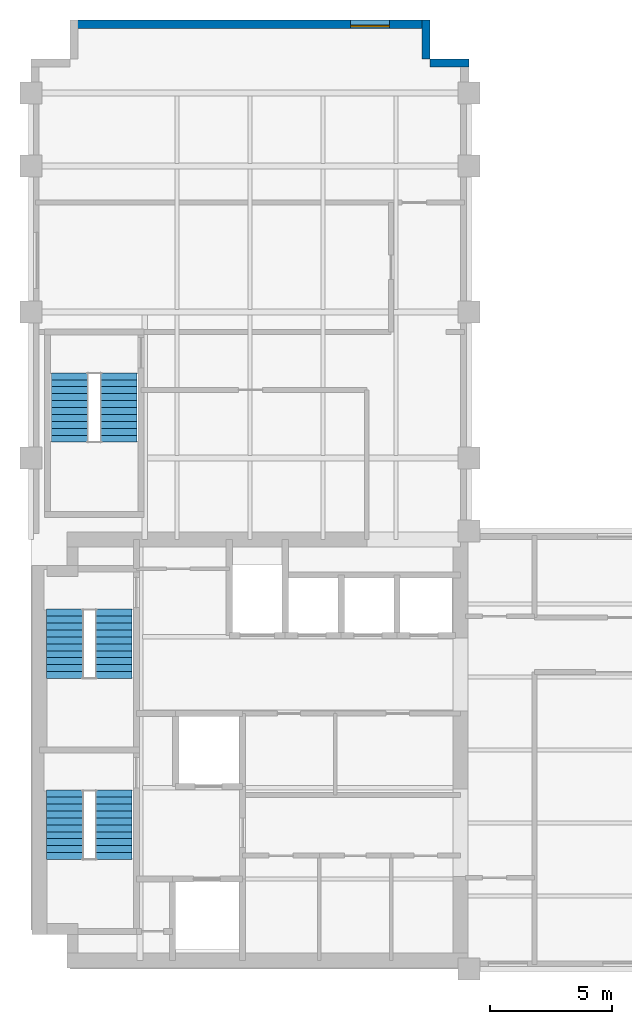
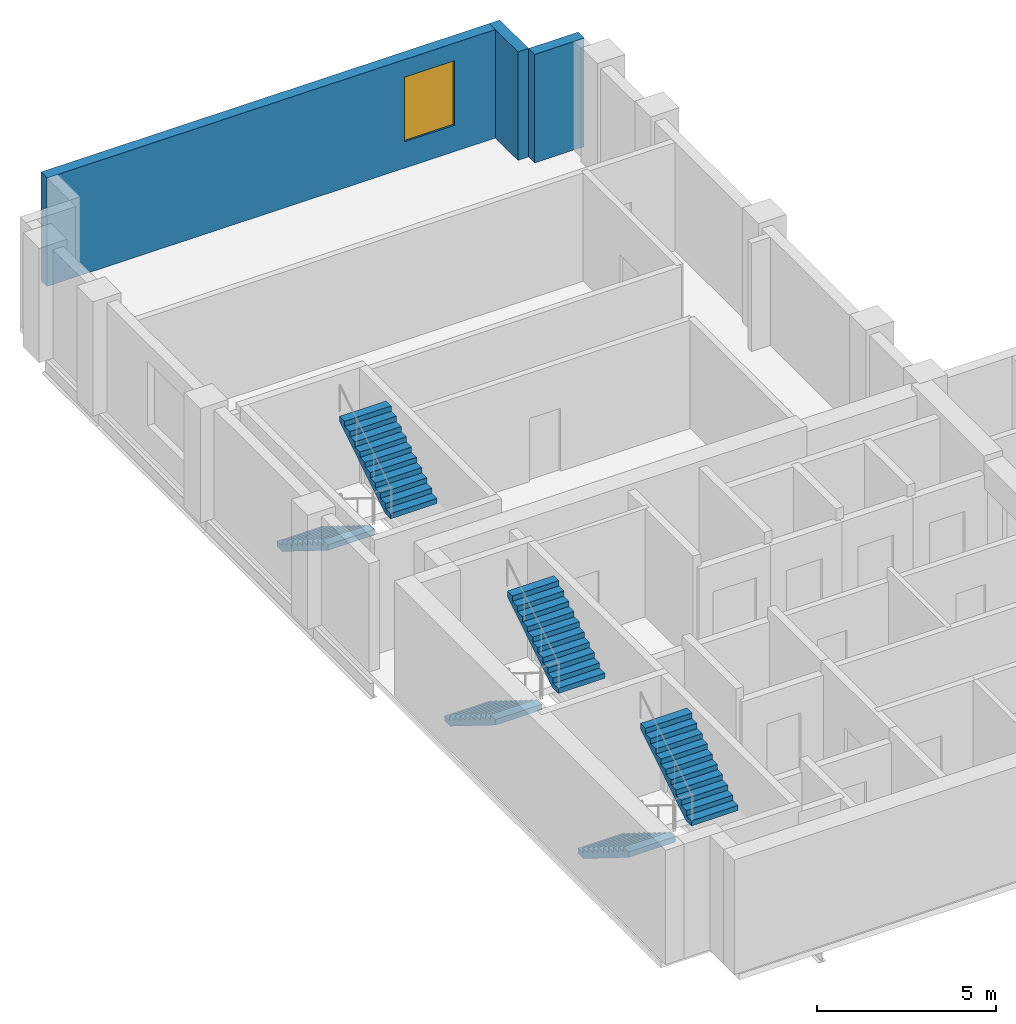
# One storey, part 5 of 6: 6 stair flights, 3 walls, 1 window, 1 opening, 3 elements without a shape of their own.
"""IFC4 building model written with IfcOpenShell, lengths in metres."""

import ifcopenshell
import ifcopenshell.guid

model = None  # the IFC model being written
_history = None  # IfcOwnerHistory: only IFC2X3 demands one
_inside = {}  # id of a spatial element -> (the spatial element, [elements in it])
_under = {}  # id of a project, library or spatial element -> (it, [spatial elements below it])
_declared = {}  # id of a project -> (the project, [libraries it declares])
_typed = {}  # id of a type object -> (the type object, [elements of that type])
_made_of = {}  # id of a material, layer set ... -> (it, [elements and type objects made of it])


def new_model(schema):
    """Start an empty IFC model of exactly this schema.

    Asked for "IFC4X3", IfcOpenShell would pick the latest addendum, in which some entities
    have other attributes; the version numbers below select the first issue.
    IFC2X3 requires an IfcOwnerHistory on every rooted entity: one is made here for all.
    """
    global model, _history
    if schema == "IFC4X3":
        model = ifcopenshell.file(schema_version=(4, 3, 0, 0))
    else:
        model = ifcopenshell.file(schema=schema)
    _inside.clear()
    _under.clear()
    _declared.clear()
    _typed.clear()
    _made_of.clear()
    _history = None
    if model.schema == "IFC2X3":
        org = make("IfcOrganization", Name="unknown")
        user = make(
            "IfcPersonAndOrganization",
            ThePerson=make("IfcPerson", FamilyName="unknown"),
            TheOrganization=org,
        )
        app = make(
            "IfcApplication",
            ApplicationDeveloper=org,
            Version="unknown",
            ApplicationFullName="unknown",
            ApplicationIdentifier="unknown",
        )
        _history = make(
            "IfcOwnerHistory",
            OwningUser=user,
            OwningApplication=app,
            ChangeAction="ADDED",
            CreationDate=0,
        )
    return model


def make(cls, **values):
    """One entity of the class cls with the attributes given. An attribute that is None is left unset."""
    return model.create_entity(
        cls, **{name: value for name, value in values.items() if value is not None}
    )


def rooted(cls, **values):
    """An entity with a GlobalId (a new one), such as an element, a storey or a relation."""
    return make(cls, GlobalId=ifcopenshell.guid.new(), OwnerHistory=_history, **values)


def si_unit(unit_type, name, prefix=None):
    """IfcSIUnit, for example si_unit("LENGTHUNIT", "METRE", prefix="MILLI")."""
    return make("IfcSIUnit", UnitType=unit_type, Prefix=prefix, Name=name)


def assignment(units):
    """IfcUnitAssignment: the units of a project."""
    return None if units is None else make("IfcUnitAssignment", Units=units)


def point(xyz):
    """IfcCartesianPoint."""
    return None if xyz is None else make("IfcCartesianPoint", Coordinates=xyz)


def direction(xyz):
    """IfcDirection."""
    return None if xyz is None else make("IfcDirection", DirectionRatios=xyz)


def frame(location, z_axis=None, x_axis=None):
    """IfcAxis2Placement3D, a coordinate frame: its origin and axes. An axis left out is left unset."""
    return make(
        "IfcAxis2Placement3D",
        Location=point(location),
        Axis=direction(z_axis),
        RefDirection=direction(x_axis),
    )


def frame_2d(location, x_axis=None):
    """IfcAxis2Placement2D, a coordinate frame in the plane: its origin and x axis."""
    return make(
        "IfcAxis2Placement2D", Location=point(location), RefDirection=direction(x_axis)
    )


def origin():
    """The frame at (0, 0, 0) with its axes left unset."""
    return frame((0.0, 0.0, 0.0))


def place(relative_to, where):
    """IfcLocalPlacement: puts the frame where relative to a parent placement (None: the world)."""
    return make(
        "IfcLocalPlacement", PlacementRelTo=relative_to, RelativePlacement=where
    )


def context(
    kind, dimensions, precision=None, world=None, true_north=None, identifier=None
):
    """IfcGeometricRepresentationContext, for example the 3D "Model" context."""
    return make(
        "IfcGeometricRepresentationContext",
        ContextIdentifier=identifier,
        ContextType=kind,
        CoordinateSpaceDimension=dimensions,
        Precision=precision,
        WorldCoordinateSystem=world,
        TrueNorth=true_north,
    )


def subcontext(parent, identifier, kind, view, scale=None):
    """IfcGeometricRepresentationSubContext, for example "Body" below "Model"."""
    return make(
        "IfcGeometricRepresentationSubContext",
        ContextIdentifier=identifier,
        ContextType=kind,
        ParentContext=parent,
        TargetScale=scale,
        TargetView=view,
    )


def project(units=None, contexts=None):
    """IfcProject with its units and contexts."""
    return rooted(
        "IfcProject",
        Name="project",
        RepresentationContexts=contexts,
        UnitsInContext=assignment(units),
    )


def spatial(cls, under=None, at=None, **own):
    """A site, building, storey or space (cls), placed at a placement, below another one or the project."""
    s = rooted(cls, ObjectPlacement=at, **own)
    if under is not None:
        _under.setdefault(under.id(), (under, []))[1].append(s)
    return s


def polyline(points):
    """IfcPolyline through the points."""
    return make("IfcPolyline", Points=[point(p) for p in points])


def profile(cls, at=None, kind="AREA", **sizes):
    """A parametric profile (cls). Its sizes go by their IFC names, for example OverallWidth=200.0."""
    return make(cls, ProfileType=kind, Position=at, **sizes)


def rectangle(**sizes):
    """IfcRectangleProfileDef."""
    return profile("IfcRectangleProfileDef", **sizes)


def outline(outer, holes=None, kind="AREA"):
    """IfcArbitraryClosedProfileDef: a profile drawn as a closed curve; with holes, ...WithVoids."""
    if holes is None:
        return make("IfcArbitraryClosedProfileDef", ProfileType=kind, OuterCurve=outer)
    return make(
        "IfcArbitraryProfileDefWithVoids",
        ProfileType=kind,
        OuterCurve=outer,
        InnerCurves=holes,
    )


def extrude(swept, where, along, depth):
    """IfcExtrudedAreaSolid: the profile swept, set in the frame where, extruded along a direction by depth."""
    return make(
        "IfcExtrudedAreaSolid",
        SweptArea=swept,
        Position=where,
        ExtrudedDirection=direction(along),
        Depth=depth,
    )


def shape(context_of_items, identifier, shape_type, items):
    """IfcShapeRepresentation: the items that make up one representation, for example the "Body"."""
    return make(
        "IfcShapeRepresentation",
        ContextOfItems=context_of_items,
        RepresentationIdentifier=identifier,
        RepresentationType=shape_type,
        Items=items,
    )


def material(Name=None, Category=None):
    """IfcMaterial."""
    return make("IfcMaterial", Name=Name, Category=Category)


def layer(
    of_material, thickness, ventilated=None, Name=None, Category=None, Priority=None
):
    """IfcMaterialLayer: one layer of a wall or slab, of a material (None: an air gap)."""
    return make(
        "IfcMaterialLayer",
        Material=of_material,
        LayerThickness=thickness,
        IsVentilated=ventilated,
        Name=Name,
        Category=Category,
        Priority=Priority,
    )


def layer_set(layers, Name=None):
    """IfcMaterialLayerSet."""
    return make("IfcMaterialLayerSet", MaterialLayers=layers, LayerSetName=Name)


def made_of(thing, what):
    """Note that an element or type object is made of a material, layer set ...; save() writes the relation."""
    if what is not None:
        _made_of.setdefault(what.id(), (what, []))[1].append(thing)
    return thing


def type_object(cls, material=None, **own):
    """A type object (cls), such as IfcWallType, which elements share."""
    return made_of(rooted(cls, **own), material)


def element(
    cls,
    number,
    at=None,
    inside=None,
    cuts=None,
    type_object=None,
    material=None,
    context=None,
    identifier="Body",
    shape_type=None,
    held_by="IfcProductDefinitionShape",
    body=None,
    shapes=None,
    **own,
):
    """One element of the class cls, such as IfcWall. Its Tag is "e" and its number.

    at: its placement. inside: the storey or other place that contains it. cuts: it is an
    opening in that element (IfcRelVoidsElement). A single representation is given by context,
    identifier, shape_type and body (its items); several are given by shapes. held_by: the class
    of the entity that holds the representations. save() writes the other relations.
    """
    e = rooted(cls, Tag="e%d" % number, ObjectPlacement=at, **own)
    if body is not None:
        shapes = [shape(context, identifier, shape_type, body)]
    if shapes is not None:
        e.Representation = make(held_by, Representations=shapes)
    if inside is not None:
        _inside.setdefault(inside.id(), (inside, []))[1].append(e)
    if cuts is not None:
        rooted(
            "IfcRelVoidsElement", RelatingBuildingElement=cuts, RelatedOpeningElement=e
        )
    if type_object is not None:
        _typed.setdefault(type_object.id(), (type_object, []))[1].append(e)
    return made_of(e, material)


def fill(opening, filler):
    """IfcRelFillsElement: the door or window that sits in an opening."""
    return rooted(
        "IfcRelFillsElement",
        RelatingOpeningElement=opening,
        RelatedBuildingElement=filler,
    )


def aggregate(whole, parts):
    """IfcRelAggregates: a whole, such as a stair, and the parts it consists of."""
    return rooted("IfcRelAggregates", RelatingObject=whole, RelatedObjects=parts)


def save(model, path):
    """Write the relations noted so far, then the file.

    IfcRelAggregates (storeys below a building ...), IfcRelContainedInSpatialStructure (elements
    in a storey), IfcRelDefinesByType, IfcRelAssociatesMaterial and IfcRelDeclares: one each for
    every whole, place, type object, material and project.
    """
    for whole, parts in _under.values():
        aggregate(whole, parts)
    for where, things in _inside.values():
        rooted(
            "IfcRelContainedInSpatialStructure",
            RelatedElements=things,
            RelatingStructure=where,
        )
    for kind, things in _typed.values():
        rooted("IfcRelDefinesByType", RelatedObjects=things, RelatingType=kind)
    for what, things in _made_of.values():
        rooted("IfcRelAssociatesMaterial", RelatedObjects=things, RelatingMaterial=what)
    for by, libraries in _declared.values():
        rooted("IfcRelDeclares", RelatingContext=by, RelatedDefinitions=libraries)
    model.write(path)


model = new_model("IFC4")

# Units and contexts
model_context = context("Model", 3, precision=1e-05, world=origin(), true_north=direction((0.0, 1.0)))
body_context = subcontext(model_context, "Body", "Model", "MODEL_VIEW")
ifc_project = project(units=[si_unit("LENGTHUNIT", "METRE"), si_unit("AREAUNIT", "SQUARE_METRE"), si_unit("VOLUMEUNIT", "CUBIC_METRE"), si_unit("PLANEANGLEUNIT", "RADIAN"), si_unit("MASSUNIT", "GRAM", prefix="KILO")], contexts=[model_context])

# Site, building, storey
site_placement = place(None, origin())
site = spatial("IfcSite", under=ifc_project, at=site_placement, CompositionType="ELEMENT")
building_placement = place(site_placement, origin())
building = spatial("IfcBuilding", under=site, at=building_placement, Name="Mawjdan Bourse Tower", CompositionType="ELEMENT")
storey_placement = place(building_placement, frame((0.0, 0.0, 211.199951171875)))
storey = spatial("IfcBuildingStorey", under=building, at=storey_placement, Name="L51", CompositionType="ELEMENT", Elevation=211.199951171875)

# Walls
ifc_material_1 = material(Name="Brick Masonry Buff", Category="masonry")
ifc_layer = layer(ifc_material_1, 0.340087890625)
ifc_layer_set = layer_set([ifc_layer], Name="Brick Masonry Buff")
wall_type = type_object("IfcWallType", Name="WL-BRK-SPN-340", PredefinedType="STANDARD", material=ifc_layer_set)
for number, where, z_axis, x_axis, name in (
    (1, (24.0, 40.22998046875, 0.0), (0.0, 0.0, 1.0), (-1.0, 0.0, 0.0), "L51 Exterior Brick Wall 9"),
    (2, (22.22998046875, 40.39990234375, 0.0), (0.0, 0.0, 1.0), (0.0, 1.0, 0.0), "L51 Exterior Brick Wall 10"),
):
    element("IfcWall", number, at=place(storey_placement, frame(where, z_axis=z_axis, x_axis=x_axis)), inside=storey, type_object=wall_type, Name=name, PredefinedType="STANDARD", context=body_context, shape_type="SweptSolid", body=[
        extrude(rectangle(XDim=1.60009765625, YDim=0.340087890625, at=frame_2d((0.800048828125, 0.0))), origin(), (0.0, 0.0, 1.0), 3.699951171875),
    ])

# Wall, opening, window
wall_placement = place(storey_placement, frame((22.39990234375, 41.830078125, 0.0), z_axis=(0.0, 0.0, 1.0), x_axis=(-1.0, 0.0, 0.0)))
wall = element("IfcWall", 3, at=wall_placement, inside=storey, type_object=wall_type, Name="L51 Exterior Brick Wall 11", PredefinedType="STANDARD", context=body_context, shape_type="SweptSolid", body=[
    extrude(rectangle(XDim=14.7998046875, YDim=0.340087890625, at=frame_2d((7.39990234375, 0.0))), origin(), (0.0, 0.0, 1.0), 3.699951171875),
])
opening_placement = place(wall_placement, frame((1.666748046875, 0.0, 0.89990234375)))
opening = element("IfcOpeningElement", 4, at=opening_placement, cuts=wall, Name="Opening W-L51-07", PredefinedType="OPENING", context=body_context, shape_type="SweptSolid", body=[
    extrude(rectangle(XDim=1.60009765625, YDim=2.199951171875, at=frame_2d((0.800048828125, 1.10009765625))), frame((0.0, 0.18017578125, 0.0), z_axis=(0.0, -1.0, 0.0), x_axis=(1.0, 0.0, 0.0)), (0.0, 0.0, 1.0), 0.360107421875),
])
ifc_material_2 = material(Name="Solar-Control Clear Double Glazing", Category="glass")
window_type = type_object("IfcWindowType", Name="WN-Z3-1600", PartitioningType="SINGLE_PANEL", PredefinedType="WINDOW", material=ifc_material_2)
window_placement = place(opening_placement, origin())
window = element("IfcWindow", 5, at=window_placement, inside=storey, type_object=window_type, Name="L51 Deep-Set Masonry Window W-L51-07", OverallHeight=2.199951171875, OverallWidth=1.60009765625, PartitioningType="SINGLE_PANEL", PredefinedType="WINDOW", context=body_context, shape_type="SweptSolid", body=[
    extrude(rectangle(XDim=1.60009765625, YDim=2.199951171875, at=frame_2d((0.800048828125, 1.10009765625))), frame((0.0, 0.110107421875, 0.0), z_axis=(0.0, -1.0, 0.0), x_axis=(1.0, 0.0, 0.0)), (0.0, 0.0, 1.0), 0.06005859375),
])
fill(opening, window)

# Stair, stair flights
ifc_material_3 = material(Name="Concrete C50/60", Category="concrete")
stair_type = type_object("IfcStairType", Name="STR-CORE-1500", PredefinedType="HALF_TURN_STAIR", material=ifc_material_3)
stair_1_placement = place(storey_placement, origin())
stair_1 = element("IfcStair", 6, at=stair_1_placement, inside=storey, type_object=stair_type, Name="L51 Exit Stair 1 (Core South-West)", PredefinedType="HALF_TURN_STAIR")
stair_flight_type = type_object("IfcStairFlightType", Name="SFL-RC-1500", PredefinedType="STRAIGHT", material=ifc_material_3)
stair_flight_1_placement = place(storey_placement, frame((7.389892578125, 10.35009765625, 0.0), z_axis=(0.0, 0.0, 1.0), x_axis=(0.0, -1.0, 0.0)))
stair_flight_1 = element("IfcStairFlight", 7, at=stair_flight_1_placement, type_object=stair_flight_type, Name="ST1-L51 flight 1", NumberOfRisers=11, NumberOfTreads=10, PredefinedType="STRAIGHT", RiserHeight=0.177273, TreadLength=0.285, context=body_context, shape_type="SweptSolid", body=[
    extrude(outline(polyline([(0.0, 0.0), (0.0, 0.17724609375), (0.284912109375, 0.17724609375), (0.284912109375, 0.3544921875), (0.570068359375, 0.3544921875), (0.570068359375, 0.53173828125), (0.85498046875, 0.53173828125), (0.85498046875, 0.708984375), (1.139892578125, 0.708984375), (1.139892578125, 0.886474609375), (1.425048828125, 0.886474609375), (1.425048828125, 1.063720703125), (1.7099609375, 1.063720703125), (1.7099609375, 1.240966796875), (1.9951171875, 1.240966796875), (1.9951171875, 1.418212890625), (2.280029296875, 1.418212890625), (2.280029296875, 1.595458984375), (2.56494140625, 1.595458984375), (2.56494140625, 1.772705078125), (2.85009765625, 1.772705078125), (2.85009765625, 1.949951171875), (2.85009765625, 1.58447265625), (0.302734375, 0.0), (0.0, 0.0)])), frame((0.0, 0.75, 0.0), z_axis=(0.0, -1.0, 0.0), x_axis=(1.0, 0.0, 0.0)), (0.0, 0.0, 1.0), 1.5),
])
stair_flight_2_placement = place(storey_placement, frame((9.409912109375, 7.5, 1.949951171875), z_axis=(0.0, 0.0, 1.0), x_axis=(0.0, 1.0, 0.0)))
stair_flight_2 = element("IfcStairFlight", 8, at=stair_flight_2_placement, type_object=stair_flight_type, Name="ST1-L51 flight 2", NumberOfRisers=11, NumberOfTreads=10, PredefinedType="STRAIGHT", RiserHeight=0.177273, TreadLength=0.285, context=body_context, shape_type="SweptSolid", body=[
    extrude(outline(polyline([(0.0, 0.0), (0.0, 0.17724609375), (0.284912109375, 0.17724609375), (0.284912109375, 0.3544921875), (0.570068359375, 0.3544921875), (0.570068359375, 0.53173828125), (0.85498046875, 0.53173828125), (0.85498046875, 0.708984375), (1.139892578125, 0.708984375), (1.139892578125, 0.886474609375), (1.425048828125, 0.886474609375), (1.425048828125, 1.063720703125), (1.7099609375, 1.063720703125), (1.7099609375, 1.240966796875), (1.9951171875, 1.240966796875), (1.9951171875, 1.418212890625), (2.280029296875, 1.418212890625), (2.280029296875, 1.595458984375), (2.56494140625, 1.595458984375), (2.56494140625, 1.772705078125), (2.85009765625, 1.772705078125), (2.85009765625, 1.949951171875), (2.85009765625, 1.58447265625), (0.302734375, 0.0), (0.0, 0.0)])), frame((0.0, 0.75, 0.0), z_axis=(0.0, -1.0, 0.0), x_axis=(1.0, 0.0, 0.0)), (0.0, 0.0, 1.0), 1.5),
])
aggregate(stair_1, [stair_flight_1, stair_flight_2])

stair_2_placement = place(storey_placement, origin())
stair_2 = element("IfcStair", 9, at=stair_2_placement, inside=storey, type_object=stair_type, Name="L51 Exit Stair 2 (Core North-West)", PredefinedType="HALF_TURN_STAIR")
stair_flight_3_placement = place(storey_placement, frame((7.389892578125, 17.7900390625, 0.0), z_axis=(0.0, 0.0, 1.0), x_axis=(0.0, -1.0, 0.0)))
stair_flight_3 = element("IfcStairFlight", 10, at=stair_flight_3_placement, type_object=stair_flight_type, Name="ST2-L51 flight 1", NumberOfRisers=11, NumberOfTreads=10, PredefinedType="STRAIGHT", RiserHeight=0.177273, TreadLength=0.285, context=body_context, shape_type="SweptSolid", body=[
    extrude(outline(polyline([(0.0, 0.0), (0.0, 0.17724609375), (0.284912109375, 0.17724609375), (0.284912109375, 0.3544921875), (0.570068359375, 0.3544921875), (0.570068359375, 0.53173828125), (0.85498046875, 0.53173828125), (0.85498046875, 0.708984375), (1.139892578125, 0.708984375), (1.139892578125, 0.886474609375), (1.425048828125, 0.886474609375), (1.425048828125, 1.063720703125), (1.7099609375, 1.063720703125), (1.7099609375, 1.240966796875), (1.9951171875, 1.240966796875), (1.9951171875, 1.418212890625), (2.280029296875, 1.418212890625), (2.280029296875, 1.595458984375), (2.56494140625, 1.595458984375), (2.56494140625, 1.772705078125), (2.85009765625, 1.772705078125), (2.85009765625, 1.949951171875), (2.85009765625, 1.58447265625), (0.302734375, 0.0), (0.0, 0.0)])), frame((0.0, 0.75, 0.0), z_axis=(0.0, -1.0, 0.0), x_axis=(1.0, 0.0, 0.0)), (0.0, 0.0, 1.0), 1.5),
])
stair_flight_4_placement = place(storey_placement, frame((9.409912109375, 14.93994140625, 1.949951171875), z_axis=(0.0, 0.0, 1.0), x_axis=(0.0, 1.0, 0.0)))
stair_flight_4 = element("IfcStairFlight", 11, at=stair_flight_4_placement, type_object=stair_flight_type, Name="ST2-L51 flight 2", NumberOfRisers=11, NumberOfTreads=10, PredefinedType="STRAIGHT", RiserHeight=0.177273, TreadLength=0.285, context=body_context, shape_type="SweptSolid", body=[
    extrude(outline(polyline([(0.0, 0.0), (0.0, 0.17724609375), (0.284912109375, 0.17724609375), (0.284912109375, 0.3544921875), (0.570068359375, 0.3544921875), (0.570068359375, 0.53173828125), (0.85498046875, 0.53173828125), (0.85498046875, 0.708984375), (1.139892578125, 0.708984375), (1.139892578125, 0.886474609375), (1.425048828125, 0.886474609375), (1.425048828125, 1.063720703125), (1.7099609375, 1.063720703125), (1.7099609375, 1.240966796875), (1.9951171875, 1.240966796875), (1.9951171875, 1.418212890625), (2.280029296875, 1.418212890625), (2.280029296875, 1.595458984375), (2.56494140625, 1.595458984375), (2.56494140625, 1.772705078125), (2.85009765625, 1.772705078125), (2.85009765625, 1.949951171875), (2.85009765625, 1.58447265625), (0.302734375, 0.0), (0.0, 0.0)])), frame((0.0, 0.75, 0.0), z_axis=(0.0, -1.0, 0.0), x_axis=(1.0, 0.0, 0.0)), (0.0, 0.0, 1.0), 1.5),
])
aggregate(stair_2, [stair_flight_3, stair_flight_4])

stair_3_placement = place(storey_placement, origin())
stair_3 = element("IfcStair", 12, at=stair_3_placement, inside=storey, type_object=stair_type, Name="L51 Exit Stair 3 (North Wing)", PredefinedType="HALF_TURN_STAIR")
stair_flight_5_placement = place(storey_placement, frame((7.590087890625, 27.5, 0.0), z_axis=(0.0, 0.0, 1.0), x_axis=(0.0, -1.0, 0.0)))
stair_flight_5 = element("IfcStairFlight", 13, at=stair_flight_5_placement, type_object=stair_flight_type, Name="ST3-L51 flight 1", NumberOfRisers=11, NumberOfTreads=10, PredefinedType="STRAIGHT", RiserHeight=0.177273, TreadLength=0.285, context=body_context, shape_type="SweptSolid", body=[
    extrude(outline(polyline([(0.0, 0.0), (0.0, 0.17724609375), (0.284912109375, 0.17724609375), (0.284912109375, 0.3544921875), (0.570068359375, 0.3544921875), (0.570068359375, 0.53173828125), (0.85498046875, 0.53173828125), (0.85498046875, 0.708984375), (1.139892578125, 0.708984375), (1.139892578125, 0.886474609375), (1.425048828125, 0.886474609375), (1.425048828125, 1.063720703125), (1.7099609375, 1.063720703125), (1.7099609375, 1.240966796875), (1.9951171875, 1.240966796875), (1.9951171875, 1.418212890625), (2.280029296875, 1.418212890625), (2.280029296875, 1.595458984375), (2.56494140625, 1.595458984375), (2.56494140625, 1.772705078125), (2.85009765625, 1.772705078125), (2.85009765625, 1.949951171875), (2.85009765625, 1.58447265625), (0.302734375, 0.0), (0.0, 0.0)])), frame((0.0, 0.75, 0.0), z_axis=(0.0, -1.0, 0.0), x_axis=(1.0, 0.0, 0.0)), (0.0, 0.0, 1.0), 1.5),
])
stair_flight_6_placement = place(storey_placement, frame((9.610107421875, 24.64990234375, 1.949951171875), z_axis=(0.0, 0.0, 1.0), x_axis=(0.0, 1.0, 0.0)))
stair_flight_6 = element("IfcStairFlight", 14, at=stair_flight_6_placement, type_object=stair_flight_type, Name="ST3-L51 flight 2", NumberOfRisers=11, NumberOfTreads=10, PredefinedType="STRAIGHT", RiserHeight=0.177273, TreadLength=0.285, context=body_context, shape_type="SweptSolid", body=[
    extrude(outline(polyline([(0.0, 0.0), (0.0, 0.17724609375), (0.284912109375, 0.17724609375), (0.284912109375, 0.3544921875), (0.570068359375, 0.3544921875), (0.570068359375, 0.53173828125), (0.85498046875, 0.53173828125), (0.85498046875, 0.708984375), (1.139892578125, 0.708984375), (1.139892578125, 0.886474609375), (1.425048828125, 0.886474609375), (1.425048828125, 1.063720703125), (1.7099609375, 1.063720703125), (1.7099609375, 1.240966796875), (1.9951171875, 1.240966796875), (1.9951171875, 1.418212890625), (2.280029296875, 1.418212890625), (2.280029296875, 1.595458984375), (2.56494140625, 1.595458984375), (2.56494140625, 1.772705078125), (2.85009765625, 1.772705078125), (2.85009765625, 1.949951171875), (2.85009765625, 1.58447265625), (0.302734375, 0.0), (0.0, 0.0)])), frame((0.0, 0.75, 0.0), z_axis=(0.0, -1.0, 0.0), x_axis=(1.0, 0.0, 0.0)), (0.0, 0.0, 1.0), 1.5),
])
aggregate(stair_3, [stair_flight_5, stair_flight_6])

save(model, "model.ifc")
